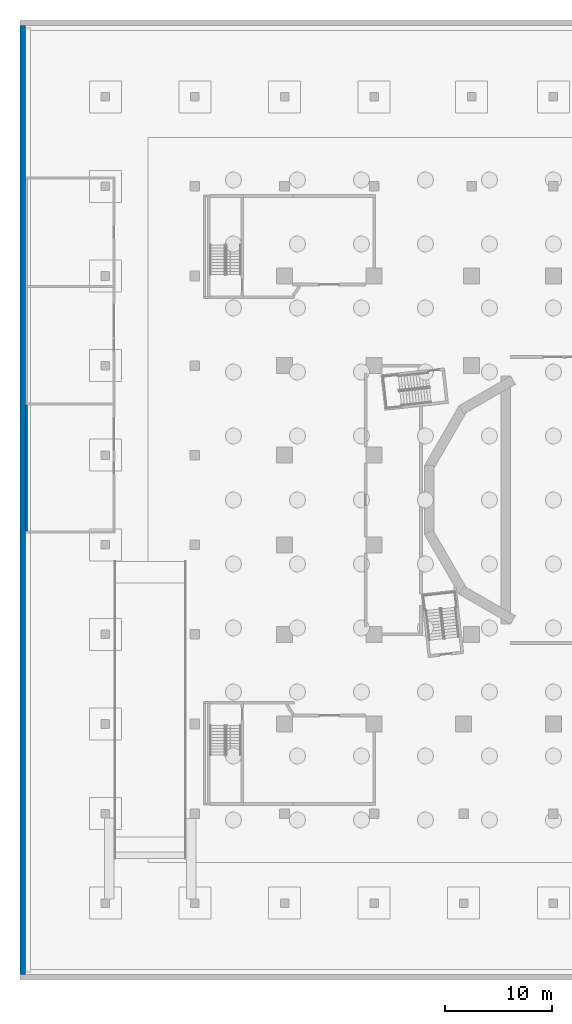
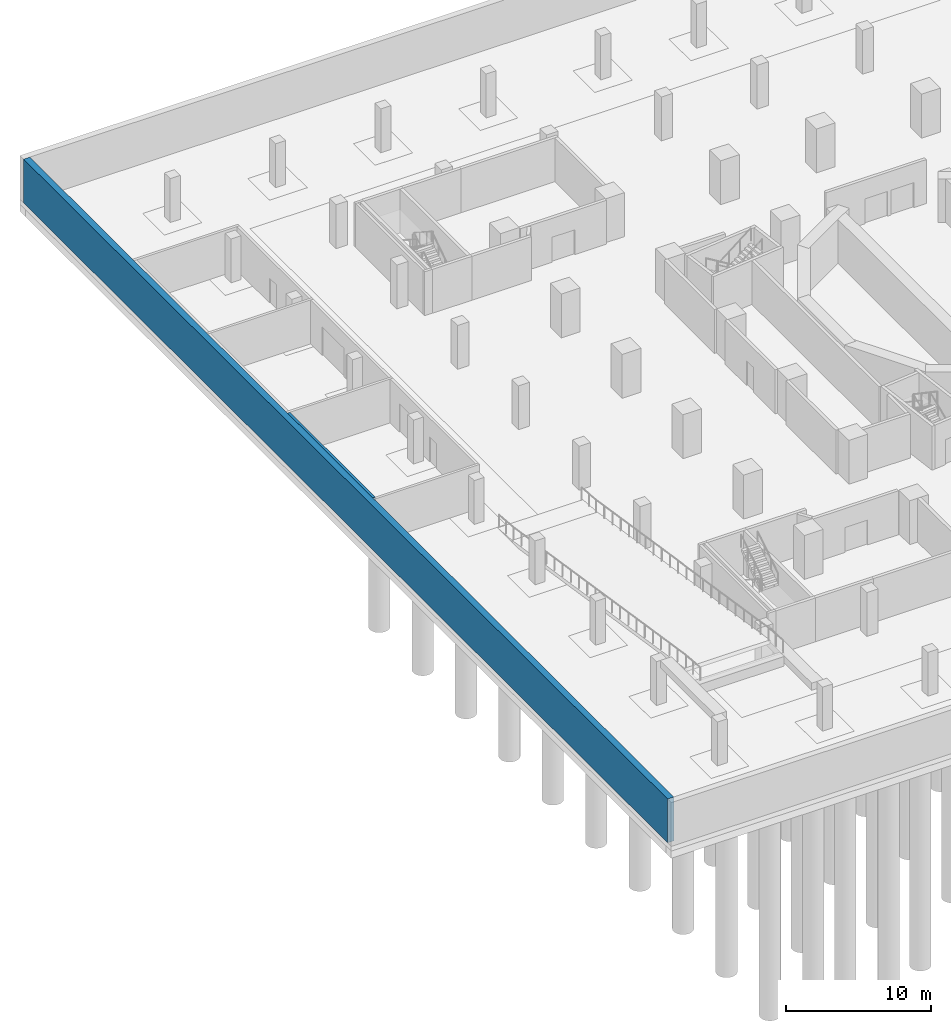
# One storey, part 6 of 20: 2 walls.
"""IFC4 building model written with IfcOpenShell, lengths in metres."""

from ifc_helpers import new_model, si_unit, direction, frame, frame_2d, origin, place, context, subcontext, project, spatial, rectangle, extrude, material, layer, layer_set, type_object, element, save


model = new_model("IFC4")

# Units and contexts
model_context = context("Model", 3, precision=1e-05, world=origin(), true_north=direction((0.0, 1.0)))
body_context = subcontext(model_context, "Body", "Model", "MODEL_VIEW")
ifc_project = project(units=[si_unit("LENGTHUNIT", "METRE"), si_unit("AREAUNIT", "SQUARE_METRE"), si_unit("VOLUMEUNIT", "CUBIC_METRE"), si_unit("PLANEANGLEUNIT", "RADIAN"), si_unit("MASSUNIT", "GRAM", prefix="KILO")], contexts=[model_context])

# Site, building, storey
site_placement = place(None, origin())
site = spatial("IfcSite", under=ifc_project, at=site_placement, CompositionType="ELEMENT")
building_placement = place(site_placement, origin())
building = spatial("IfcBuilding", under=site, at=building_placement, Name="Cantera Rosa Tower", CompositionType="ELEMENT")
storey_placement = place(building_placement, frame((0.0, 0.0, -17.0)))
storey = spatial("IfcBuildingStorey", under=building, at=storey_placement, Name="B4", CompositionType="ELEMENT", Elevation=-17.0)

# Walls
ifc_material_1 = material(Name="Masonry blockwork", Category="masonry")
ifc_layer_1 = layer(ifc_material_1, 0.199951171875)
ifc_layer_set_1 = layer_set([ifc_layer_1], Name="Blockwork partition 200")
wall_type_1 = type_object("IfcWallType", Name="Blockwork partition 200", PredefinedType="PARTITIONING", material=ifc_layer_set_1)
wall_1_placement = place(storey_placement, frame((-49.39990234375, -2.89990234375, 0.0), z_axis=(0.0, 0.0, 1.0), x_axis=(0.0, 1.0, 0.0)))
element("IfcWall", 1, at=wall_1_placement, inside=storey, type_object=wall_type_1, Name="Partition B4-85", PredefinedType="PARTITIONING", context=body_context, shape_type="SweptSolid", body=[
    extrude(rectangle(XDim=11.7998046875, YDim=0.199951171875, at=frame_2d((5.89990234375, 0.0))), origin(), (0.0, 0.0, 1.0), 3.699951171875),
])
ifc_material_2 = material(Name="Concrete C40/50", Category="concrete")
ifc_layer_2 = layer(ifc_material_2, 0.5)
ifc_layer_set_2 = layer_set([ifc_layer_2], Name="Retaining wall 500")
wall_type_2 = type_object("IfcWallType", Name="Retaining wall 500", PredefinedType="SOLIDWALL", material=ifc_layer_set_2)
wall_2_placement = place(storey_placement, frame((-49.75, -44.5, 0.0), z_axis=(0.0, 0.0, 1.0), x_axis=(0.0, 1.0, 0.0)))
element("IfcWall", 2, at=wall_2_placement, inside=storey, type_object=wall_type_2, Name="Retaining wall W B4", PredefinedType="SOLIDWALL", context=body_context, shape_type="SweptSolid", body=[
    extrude(rectangle(XDim=89.0, YDim=0.5, at=frame_2d((44.5, 0.0))), origin(), (0.0, 0.0, 1.0), 3.699951171875),
])

save(model, "model.ifc")
